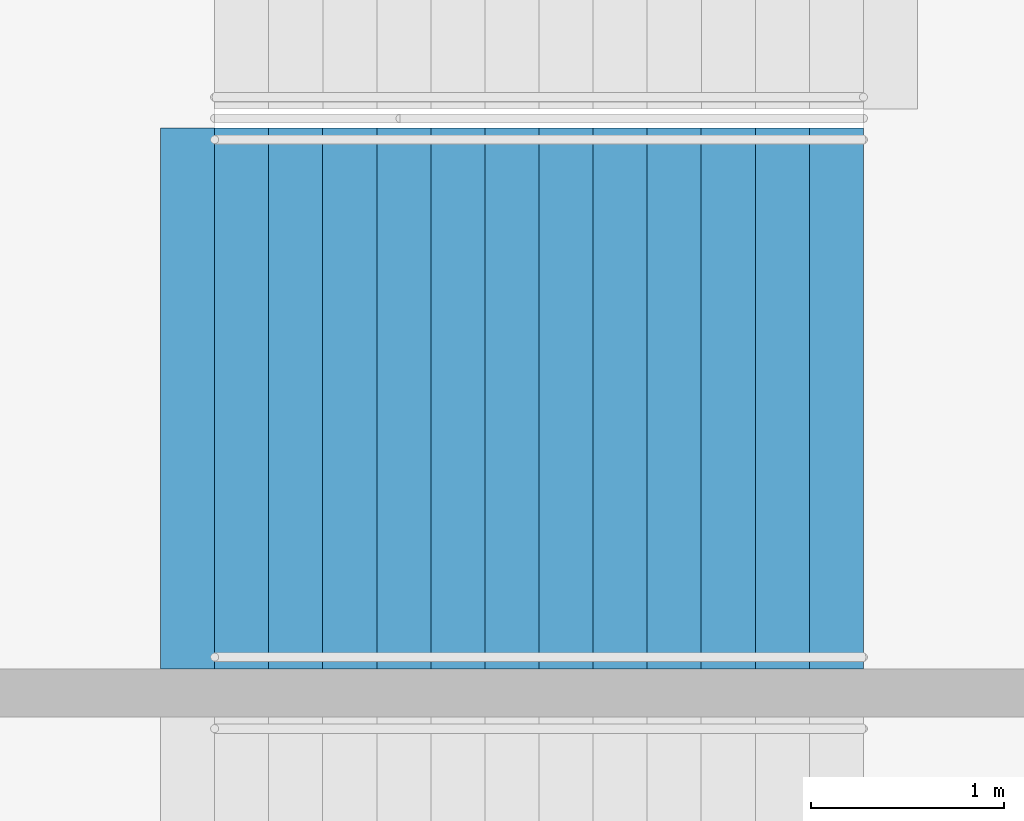
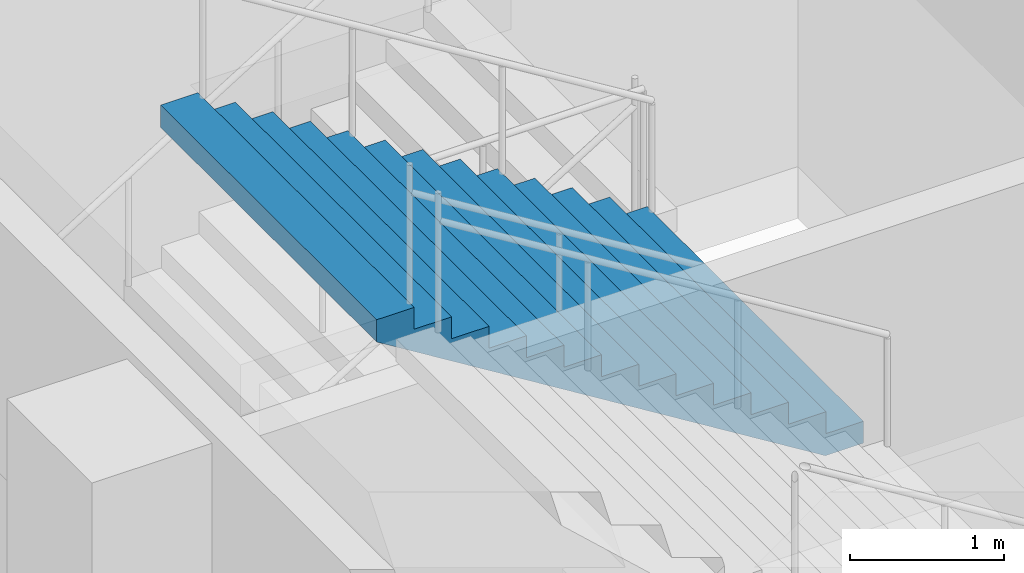
# One storey, part 187 of 249: 1 stair flight, 1 element without a shape of its own.
"""IFC4 building model written with IfcOpenShell, lengths in metres."""

from ifc_helpers import new_model, si_unit, direction, frame, origin, place, context, subcontext, project, spatial, faceted_brep, material, type_object, element, aggregate, save


model = new_model("IFC4")

# Units and contexts
model_context = context("Model", 3, precision=1e-05, world=origin(), true_north=direction((0.0, 1.0)))
body_context = subcontext(model_context, "Body", "Model", "MODEL_VIEW")
ifc_project = project(units=[si_unit("LENGTHUNIT", "METRE"), si_unit("AREAUNIT", "SQUARE_METRE"), si_unit("VOLUMEUNIT", "CUBIC_METRE"), si_unit("PLANEANGLEUNIT", "RADIAN"), si_unit("MASSUNIT", "GRAM", prefix="KILO")], contexts=[model_context])

# Site, building, storey
site_placement = place(None, origin())
site = spatial("IfcSite", under=ifc_project, at=site_placement, CompositionType="ELEMENT")
building_placement = place(site_placement, origin())
building = spatial("IfcBuilding", under=site, at=building_placement, Name="Ogive Plaza Stadium", CompositionType="ELEMENT")
storey_placement = place(building_placement, frame((0.0, 0.0, 13.5)))
storey = spatial("IfcBuildingStorey", under=building, at=storey_placement, Name="L03", CompositionType="ELEMENT", Elevation=13.5)

# Stair, stair flight
ifc_material_1 = material(Name="Concrete C40/50", Category="concrete")
stair_type = type_object("IfcStairType", Name="Exit stair", PredefinedType="STRAIGHT_RUN_STAIR", material=ifc_material_1)
stair_placement = place(storey_placement, origin())
stair = element("IfcStair", 1, at=stair_placement, inside=storey, type_object=stair_type, Name="Exit stair ST04B L03 to L04", PredefinedType="STRAIGHT_RUN_STAIR")
ifc_material_2 = material(Name="Concrete C40/50", Category="concrete")
stair_flight_type = type_object("IfcStairFlightType", Name="Exit stair flight", PredefinedType="STRAIGHT", material=ifc_material_2)
stair_flight_placement = place(storey_placement, frame((79.7099609375, 9.02490234375, 2.25), z_axis=(0.0, 0.0, 1.0), x_axis=(-1.0, 0.0, 0.0)))
stair_flight = element("IfcStairFlight", 2, at=stair_flight_placement, type_object=stair_flight_type, Name="ST04B flight 2", NumberOfRisers=13, NumberOfTreads=12, PredefinedType="STRAIGHT", RiserHeight=0.173076923, TreadLength=0.28, context=body_context, shape_type="Brep", body=[
    faceted_brep([(0.28515625, -1.39990234375, 0.0), (3.639892578125, -1.39990234375, 2.07373046875), (3.639892578125, -1.39990234375, 2.25), (3.360107421875, -1.39990234375, 2.25), (3.360107421875, -1.39990234375, 2.076904296875), (3.080078125, -1.39990234375, 2.076904296875), (3.080078125, -1.39990234375, 1.90380859375), (2.800048828125, -1.39990234375, 1.90380859375), (2.800048828125, -1.39990234375, 1.730712890625), (2.52001953125, -1.39990234375, 1.730712890625), (2.52001953125, -1.39990234375, 1.5576171875), (2.239990234375, -1.39990234375, 1.5576171875), (2.239990234375, -1.39990234375, 1.384521484375), (1.9599609375, -1.39990234375, 1.384521484375), (1.9599609375, -1.39990234375, 1.21142578125), (1.679931640625, -1.39990234375, 1.21142578125), (1.679931640625, -1.39990234375, 1.03857421875), (1.39990234375, -1.39990234375, 1.03857421875), (1.39990234375, -1.39990234375, 0.865478515625), (1.1201171875, -1.39990234375, 0.865478515625), (1.1201171875, -1.39990234375, 0.6923828125), (0.840087890625, -1.39990234375, 0.6923828125), (0.840087890625, -1.39990234375, 0.519287109375), (0.56005859375, -1.39990234375, 0.519287109375), (0.56005859375, -1.39990234375, 0.34619140625), (0.280029296875, -1.39990234375, 0.34619140625), (0.280029296875, -1.39990234375, 0.173095703125), (0.0, -1.39990234375, 0.173095703125), (0.0, -1.39990234375, 0.0), (0.0, 1.39990234375, 0.0), (0.0, 1.39990234375, 0.173095703125), (0.280029296875, 1.39990234375, 0.173095703125), (0.280029296875, 1.39990234375, 0.34619140625), (0.56005859375, 1.39990234375, 0.34619140625), (0.56005859375, 1.39990234375, 0.519287109375), (0.840087890625, 1.39990234375, 0.519287109375), (0.840087890625, 1.39990234375, 0.6923828125), (1.1201171875, 1.39990234375, 0.6923828125), (1.1201171875, 1.39990234375, 0.865478515625), (1.39990234375, 1.39990234375, 0.865478515625), (1.39990234375, 1.39990234375, 1.03857421875), (1.679931640625, 1.39990234375, 1.03857421875), (1.679931640625, 1.39990234375, 1.21142578125), (1.9599609375, 1.39990234375, 1.21142578125), (1.9599609375, 1.39990234375, 1.384521484375), (2.239990234375, 1.39990234375, 1.384521484375), (2.239990234375, 1.39990234375, 1.5576171875), (2.52001953125, 1.39990234375, 1.5576171875), (2.52001953125, 1.39990234375, 1.730712890625), (2.800048828125, 1.39990234375, 1.730712890625), (2.800048828125, 1.39990234375, 1.90380859375), (3.080078125, 1.39990234375, 1.90380859375), (3.080078125, 1.39990234375, 2.076904296875), (3.360107421875, 1.39990234375, 2.076904296875), (3.360107421875, 1.39990234375, 2.25), (3.639892578125, 1.39990234375, 2.25), (3.639892578125, 1.39990234375, 2.07373046875), (0.28515625, 1.39990234375, 0.0), (0.28515625, -1.0888671875, 0.0), (3.639892578125, -1.0888671875, 2.07373046875), (0.28515625, -0.77783203125, 0.0), (3.639892578125, -0.77783203125, 2.07373046875), (0.28515625, -0.466796875, 0.0), (3.639892578125, -0.466796875, 2.07373046875), (0.28515625, -0.155517578125, 0.0), (3.639892578125, -0.155517578125, 2.07373046875), (0.28515625, 0.155517578125, 0.0), (3.639892578125, 0.155517578125, 2.07373046875), (0.28515625, 0.466796875, 0.0), (3.639892578125, 0.466796875, 2.07373046875), (0.28515625, 0.77783203125, 0.0), (3.639892578125, 0.77783203125, 2.07373046875), (0.28515625, 1.0888671875, 0.0), (3.639892578125, 1.0888671875, 2.07373046875), (3.639892578125, -1.0888671875, 2.25), (3.639892578125, -0.77783203125, 2.25), (3.639892578125, -0.466796875, 2.25), (3.639892578125, -0.155517578125, 2.25), (3.639892578125, 0.155517578125, 2.25), (3.639892578125, 0.466796875, 2.25), (3.639892578125, 0.77783203125, 2.25), (3.639892578125, 1.0888671875, 2.25), (3.360107421875, -1.0888671875, 2.25), (3.360107421875, -0.77783203125, 2.25), (3.360107421875, -0.466796875, 2.25), (3.360107421875, -0.155517578125, 2.25), (3.360107421875, 0.155517578125, 2.25), (3.360107421875, 0.466796875, 2.25), (3.360107421875, 0.77783203125, 2.25), (3.360107421875, 1.0888671875, 2.25), (3.360107421875, -1.0888671875, 2.076904296875), (3.360107421875, -0.77783203125, 2.076904296875), (3.360107421875, -0.466796875, 2.076904296875), (3.360107421875, -0.155517578125, 2.076904296875), (3.360107421875, 0.155517578125, 2.076904296875), (3.360107421875, 0.466796875, 2.076904296875), (3.360107421875, 0.77783203125, 2.076904296875), (3.360107421875, 1.0888671875, 2.076904296875), (3.080078125, -1.0888671875, 2.076904296875), (3.080078125, -0.77783203125, 2.076904296875), (3.080078125, -0.466796875, 2.076904296875), (3.080078125, -0.155517578125, 2.076904296875), (3.080078125, 0.155517578125, 2.076904296875), (3.080078125, 0.466796875, 2.076904296875), (3.080078125, 0.77783203125, 2.076904296875), (3.080078125, 1.0888671875, 2.076904296875), (3.080078125, -1.0888671875, 1.90380859375), (3.080078125, -0.77783203125, 1.90380859375), (3.080078125, -0.466796875, 1.90380859375), (3.080078125, -0.155517578125, 1.90380859375), (3.080078125, 0.155517578125, 1.90380859375), (3.080078125, 0.466796875, 1.90380859375), (3.080078125, 0.77783203125, 1.90380859375), (3.080078125, 1.0888671875, 1.90380859375), (2.800048828125, -1.0888671875, 1.90380859375), (2.800048828125, -0.77783203125, 1.90380859375), (2.800048828125, -0.466796875, 1.90380859375), (2.800048828125, -0.155517578125, 1.90380859375), (2.800048828125, 0.155517578125, 1.90380859375), (2.800048828125, 0.466796875, 1.90380859375), (2.800048828125, 0.77783203125, 1.90380859375), (2.800048828125, 1.0888671875, 1.90380859375), (2.800048828125, -1.0888671875, 1.730712890625), (2.800048828125, -0.77783203125, 1.730712890625), (2.800048828125, -0.466796875, 1.730712890625), (2.800048828125, -0.155517578125, 1.730712890625), (2.800048828125, 0.155517578125, 1.730712890625), (2.800048828125, 0.466796875, 1.730712890625), (2.800048828125, 0.77783203125, 1.730712890625), (2.800048828125, 1.0888671875, 1.730712890625), (2.52001953125, -1.0888671875, 1.730712890625), (2.52001953125, -0.77783203125, 1.730712890625), (2.52001953125, -0.466796875, 1.730712890625), (2.52001953125, -0.155517578125, 1.730712890625), (2.52001953125, 0.155517578125, 1.730712890625), (2.52001953125, 0.466796875, 1.730712890625), (2.52001953125, 0.77783203125, 1.730712890625), (2.52001953125, 1.0888671875, 1.730712890625), (2.52001953125, -1.0888671875, 1.5576171875), (2.52001953125, -0.77783203125, 1.5576171875), (2.52001953125, -0.466796875, 1.5576171875), (2.52001953125, -0.155517578125, 1.5576171875), (2.52001953125, 0.155517578125, 1.5576171875), (2.52001953125, 0.466796875, 1.5576171875), (2.52001953125, 0.77783203125, 1.5576171875), (2.52001953125, 1.0888671875, 1.5576171875), (2.239990234375, -1.0888671875, 1.5576171875), (2.239990234375, -0.77783203125, 1.5576171875), (2.239990234375, -0.466796875, 1.5576171875), (2.239990234375, -0.155517578125, 1.5576171875), (2.239990234375, 0.155517578125, 1.5576171875), (2.239990234375, 0.466796875, 1.5576171875), (2.239990234375, 0.77783203125, 1.5576171875), (2.239990234375, 1.0888671875, 1.5576171875), (2.239990234375, -1.0888671875, 1.384521484375), (2.239990234375, -0.77783203125, 1.384521484375), (2.239990234375, -0.466796875, 1.384521484375), (2.239990234375, -0.155517578125, 1.384521484375), (2.239990234375, 0.155517578125, 1.384521484375), (2.239990234375, 0.466796875, 1.384521484375), (2.239990234375, 0.77783203125, 1.384521484375), (2.239990234375, 1.0888671875, 1.384521484375), (1.9599609375, -1.0888671875, 1.384521484375), (1.9599609375, -0.77783203125, 1.384521484375), (1.9599609375, -0.466796875, 1.384521484375), (1.9599609375, -0.155517578125, 1.384521484375), (1.9599609375, 0.155517578125, 1.384521484375), (1.9599609375, 0.466796875, 1.384521484375), (1.9599609375, 0.77783203125, 1.384521484375), (1.9599609375, 1.0888671875, 1.384521484375), (1.9599609375, -1.0888671875, 1.21142578125), (1.9599609375, -0.77783203125, 1.21142578125), (1.9599609375, -0.466796875, 1.21142578125), (1.9599609375, -0.155517578125, 1.21142578125), (1.9599609375, 0.155517578125, 1.21142578125), (1.9599609375, 0.466796875, 1.21142578125), (1.9599609375, 0.77783203125, 1.21142578125), (1.9599609375, 1.0888671875, 1.21142578125), (1.679931640625, -1.0888671875, 1.21142578125), (1.679931640625, -0.77783203125, 1.21142578125), (1.679931640625, -0.466796875, 1.21142578125), (1.679931640625, -0.155517578125, 1.21142578125), (1.679931640625, 0.155517578125, 1.21142578125), (1.679931640625, 0.466796875, 1.21142578125), (1.679931640625, 0.77783203125, 1.21142578125), (1.679931640625, 1.0888671875, 1.21142578125), (1.679931640625, -1.0888671875, 1.03857421875), (1.679931640625, -0.77783203125, 1.03857421875), (1.679931640625, -0.466796875, 1.03857421875), (1.679931640625, -0.155517578125, 1.03857421875), (1.679931640625, 0.155517578125, 1.03857421875), (1.679931640625, 0.466796875, 1.03857421875), (1.679931640625, 0.77783203125, 1.03857421875), (1.679931640625, 1.0888671875, 1.03857421875), (1.39990234375, -1.0888671875, 1.03857421875), (1.39990234375, -0.77783203125, 1.03857421875), (1.39990234375, -0.466796875, 1.03857421875), (1.39990234375, -0.155517578125, 1.03857421875), (1.39990234375, 0.155517578125, 1.03857421875), (1.39990234375, 0.466796875, 1.03857421875), (1.39990234375, 0.77783203125, 1.03857421875), (1.39990234375, 1.0888671875, 1.03857421875), (1.39990234375, -1.0888671875, 0.865478515625), (1.39990234375, -0.77783203125, 0.865478515625), (1.39990234375, -0.466796875, 0.865478515625), (1.39990234375, -0.155517578125, 0.865478515625), (1.39990234375, 0.155517578125, 0.865478515625), (1.39990234375, 0.466796875, 0.865478515625), (1.39990234375, 0.77783203125, 0.865478515625), (1.39990234375, 1.0888671875, 0.865478515625), (1.1201171875, -1.0888671875, 0.865478515625), (1.1201171875, -0.77783203125, 0.865478515625), (1.1201171875, -0.466796875, 0.865478515625), (1.1201171875, -0.155517578125, 0.865478515625), (1.1201171875, 0.155517578125, 0.865478515625), (1.1201171875, 0.466796875, 0.865478515625), (1.1201171875, 0.77783203125, 0.865478515625), (1.1201171875, 1.0888671875, 0.865478515625), (1.1201171875, -1.0888671875, 0.6923828125), (1.1201171875, -0.77783203125, 0.6923828125), (1.1201171875, -0.466796875, 0.6923828125), (1.1201171875, -0.155517578125, 0.6923828125), (1.1201171875, 0.155517578125, 0.6923828125), (1.1201171875, 0.466796875, 0.6923828125), (1.1201171875, 0.77783203125, 0.6923828125), (1.1201171875, 1.0888671875, 0.6923828125), (0.840087890625, -1.0888671875, 0.6923828125), (0.840087890625, -0.77783203125, 0.6923828125), (0.840087890625, -0.466796875, 0.6923828125), (0.840087890625, -0.155517578125, 0.6923828125), (0.840087890625, 0.155517578125, 0.6923828125), (0.840087890625, 0.466796875, 0.6923828125), (0.840087890625, 0.77783203125, 0.6923828125), (0.840087890625, 1.0888671875, 0.6923828125), (0.840087890625, -1.0888671875, 0.519287109375), (0.840087890625, -0.77783203125, 0.519287109375), (0.840087890625, -0.466796875, 0.519287109375), (0.840087890625, -0.155517578125, 0.519287109375), (0.840087890625, 0.155517578125, 0.519287109375), (0.840087890625, 0.466796875, 0.519287109375), (0.840087890625, 0.77783203125, 0.519287109375), (0.840087890625, 1.0888671875, 0.519287109375), (0.56005859375, -1.0888671875, 0.519287109375), (0.56005859375, -0.77783203125, 0.519287109375), (0.56005859375, -0.466796875, 0.519287109375), (0.56005859375, -0.155517578125, 0.519287109375), (0.56005859375, 0.155517578125, 0.519287109375), (0.56005859375, 0.466796875, 0.519287109375), (0.56005859375, 0.77783203125, 0.519287109375), (0.56005859375, 1.0888671875, 0.519287109375), (0.56005859375, -1.0888671875, 0.34619140625), (0.56005859375, -0.77783203125, 0.34619140625), (0.56005859375, -0.466796875, 0.34619140625), (0.56005859375, -0.155517578125, 0.34619140625), (0.56005859375, 0.155517578125, 0.34619140625), (0.56005859375, 0.466796875, 0.34619140625), (0.56005859375, 0.77783203125, 0.34619140625), (0.56005859375, 1.0888671875, 0.34619140625), (0.280029296875, -1.0888671875, 0.34619140625), (0.280029296875, -0.77783203125, 0.34619140625), (0.280029296875, -0.466796875, 0.34619140625), (0.280029296875, -0.155517578125, 0.34619140625), (0.280029296875, 0.155517578125, 0.34619140625), (0.280029296875, 0.466796875, 0.34619140625), (0.280029296875, 0.77783203125, 0.34619140625), (0.280029296875, 1.0888671875, 0.34619140625), (0.280029296875, -1.0888671875, 0.173095703125), (0.280029296875, -0.77783203125, 0.173095703125), (0.280029296875, -0.466796875, 0.173095703125), (0.280029296875, -0.155517578125, 0.173095703125), (0.280029296875, 0.155517578125, 0.173095703125), (0.280029296875, 0.466796875, 0.173095703125), (0.280029296875, 0.77783203125, 0.173095703125), (0.280029296875, 1.0888671875, 0.173095703125), (0.0, -1.0888671875, 0.173095703125), (0.0, -0.77783203125, 0.173095703125), (0.0, -0.466796875, 0.173095703125), (0.0, -0.155517578125, 0.173095703125), (0.0, 0.155517578125, 0.173095703125), (0.0, 0.466796875, 0.173095703125), (0.0, 0.77783203125, 0.173095703125), (0.0, 1.0888671875, 0.173095703125), (0.0, -1.0888671875, 0.0), (0.0, -0.77783203125, 0.0), (0.0, -0.466796875, 0.0), (0.0, -0.155517578125, 0.0), (0.0, 0.155517578125, 0.0), (0.0, 0.466796875, 0.0), (0.0, 0.77783203125, 0.0), (0.0, 1.0888671875, 0.0)], [[[0, 1, 2, 3, 4, 5, 6, 7, 8, 9, 10, 11, 12, 13, 14, 15, 16, 17, 18, 19, 20, 21, 22, 23, 24, 25, 26, 27, 28]], [[29, 30, 31, 32, 33, 34, 35, 36, 37, 38, 39, 40, 41, 42, 43, 44, 45, 46, 47, 48, 49, 50, 51, 52, 53, 54, 55, 56, 57]], [[0, 58, 59, 1]], [[58, 60, 61, 59]], [[60, 62, 63, 61]], [[62, 64, 65, 63]], [[64, 66, 67, 65]], [[66, 68, 69, 67]], [[68, 70, 71, 69]], [[70, 72, 73, 71]], [[72, 57, 56, 73]], [[1, 59, 74, 2]], [[59, 61, 75, 74]], [[61, 63, 76, 75]], [[63, 65, 77, 76]], [[65, 67, 78, 77]], [[67, 69, 79, 78]], [[69, 71, 80, 79]], [[71, 73, 81, 80]], [[73, 56, 55, 81]], [[2, 74, 82, 3]], [[74, 75, 83, 82]], [[75, 76, 84, 83]], [[76, 77, 85, 84]], [[77, 78, 86, 85]], [[78, 79, 87, 86]], [[79, 80, 88, 87]], [[80, 81, 89, 88]], [[81, 55, 54, 89]], [[3, 82, 90, 4]], [[82, 83, 91, 90]], [[83, 84, 92, 91]], [[84, 85, 93, 92]], [[85, 86, 94, 93]], [[86, 87, 95, 94]], [[87, 88, 96, 95]], [[88, 89, 97, 96]], [[89, 54, 53, 97]], [[4, 90, 98, 5]], [[90, 91, 99, 98]], [[91, 92, 100, 99]], [[92, 93, 101, 100]], [[93, 94, 102, 101]], [[94, 95, 103, 102]], [[95, 96, 104, 103]], [[96, 97, 105, 104]], [[97, 53, 52, 105]], [[5, 98, 106, 6]], [[98, 99, 107, 106]], [[99, 100, 108, 107]], [[100, 101, 109, 108]], [[101, 102, 110, 109]], [[102, 103, 111, 110]], [[103, 104, 112, 111]], [[104, 105, 113, 112]], [[105, 52, 51, 113]], [[6, 106, 114, 7]], [[106, 107, 115, 114]], [[107, 108, 116, 115]], [[108, 109, 117, 116]], [[109, 110, 118, 117]], [[110, 111, 119, 118]], [[111, 112, 120, 119]], [[112, 113, 121, 120]], [[113, 51, 50, 121]], [[7, 114, 122, 8]], [[114, 115, 123, 122]], [[115, 116, 124, 123]], [[116, 117, 125, 124]], [[117, 118, 126, 125]], [[118, 119, 127, 126]], [[119, 120, 128, 127]], [[120, 121, 129, 128]], [[121, 50, 49, 129]], [[8, 122, 130, 9]], [[122, 123, 131, 130]], [[123, 124, 132, 131]], [[124, 125, 133, 132]], [[125, 126, 134, 133]], [[126, 127, 135, 134]], [[127, 128, 136, 135]], [[128, 129, 137, 136]], [[129, 49, 48, 137]], [[9, 130, 138, 10]], [[130, 131, 139, 138]], [[131, 132, 140, 139]], [[132, 133, 141, 140]], [[133, 134, 142, 141]], [[134, 135, 143, 142]], [[135, 136, 144, 143]], [[136, 137, 145, 144]], [[137, 48, 47, 145]], [[10, 138, 146, 11]], [[138, 139, 147, 146]], [[139, 140, 148, 147]], [[140, 141, 149, 148]], [[141, 142, 150, 149]], [[142, 143, 151, 150]], [[143, 144, 152, 151]], [[144, 145, 153, 152]], [[145, 47, 46, 153]], [[11, 146, 154, 12]], [[146, 147, 155, 154]], [[147, 148, 156, 155]], [[148, 149, 157, 156]], [[149, 150, 158, 157]], [[150, 151, 159, 158]], [[151, 152, 160, 159]], [[152, 153, 161, 160]], [[153, 46, 45, 161]], [[12, 154, 162, 13]], [[154, 155, 163, 162]], [[155, 156, 164, 163]], [[156, 157, 165, 164]], [[157, 158, 166, 165]], [[158, 159, 167, 166]], [[159, 160, 168, 167]], [[160, 161, 169, 168]], [[161, 45, 44, 169]], [[13, 162, 170, 14]], [[162, 163, 171, 170]], [[163, 164, 172, 171]], [[164, 165, 173, 172]], [[165, 166, 174, 173]], [[166, 167, 175, 174]], [[167, 168, 176, 175]], [[168, 169, 177, 176]], [[169, 44, 43, 177]], [[14, 170, 178, 15]], [[170, 171, 179, 178]], [[171, 172, 180, 179]], [[172, 173, 181, 180]], [[173, 174, 182, 181]], [[174, 175, 183, 182]], [[175, 176, 184, 183]], [[176, 177, 185, 184]], [[177, 43, 42, 185]], [[15, 178, 186, 16]], [[178, 179, 187, 186]], [[179, 180, 188, 187]], [[180, 181, 189, 188]], [[181, 182, 190, 189]], [[182, 183, 191, 190]], [[183, 184, 192, 191]], [[184, 185, 193, 192]], [[185, 42, 41, 193]], [[16, 186, 194, 17]], [[186, 187, 195, 194]], [[187, 188, 196, 195]], [[188, 189, 197, 196]], [[189, 190, 198, 197]], [[190, 191, 199, 198]], [[191, 192, 200, 199]], [[192, 193, 201, 200]], [[193, 41, 40, 201]], [[17, 194, 202, 18]], [[194, 195, 203, 202]], [[195, 196, 204, 203]], [[196, 197, 205, 204]], [[197, 198, 206, 205]], [[198, 199, 207, 206]], [[199, 200, 208, 207]], [[200, 201, 209, 208]], [[201, 40, 39, 209]], [[18, 202, 210, 19]], [[202, 203, 211, 210]], [[203, 204, 212, 211]], [[204, 205, 213, 212]], [[205, 206, 214, 213]], [[206, 207, 215, 214]], [[207, 208, 216, 215]], [[208, 209, 217, 216]], [[209, 39, 38, 217]], [[19, 210, 218, 20]], [[210, 211, 219, 218]], [[211, 212, 220, 219]], [[212, 213, 221, 220]], [[213, 214, 222, 221]], [[214, 215, 223, 222]], [[215, 216, 224, 223]], [[216, 217, 225, 224]], [[217, 38, 37, 225]], [[20, 218, 226, 21]], [[218, 219, 227, 226]], [[219, 220, 228, 227]], [[220, 221, 229, 228]], [[221, 222, 230, 229]], [[222, 223, 231, 230]], [[223, 224, 232, 231]], [[224, 225, 233, 232]], [[225, 37, 36, 233]], [[21, 226, 234, 22]], [[226, 227, 235, 234]], [[227, 228, 236, 235]], [[228, 229, 237, 236]], [[229, 230, 238, 237]], [[230, 231, 239, 238]], [[231, 232, 240, 239]], [[232, 233, 241, 240]], [[233, 36, 35, 241]], [[22, 234, 242, 23]], [[234, 235, 243, 242]], [[235, 236, 244, 243]], [[236, 237, 245, 244]], [[237, 238, 246, 245]], [[238, 239, 247, 246]], [[239, 240, 248, 247]], [[240, 241, 249, 248]], [[241, 35, 34, 249]], [[23, 242, 250, 24]], [[242, 243, 251, 250]], [[243, 244, 252, 251]], [[244, 245, 253, 252]], [[245, 246, 254, 253]], [[246, 247, 255, 254]], [[247, 248, 256, 255]], [[248, 249, 257, 256]], [[249, 34, 33, 257]], [[24, 250, 258, 25]], [[250, 251, 259, 258]], [[251, 252, 260, 259]], [[252, 253, 261, 260]], [[253, 254, 262, 261]], [[254, 255, 263, 262]], [[255, 256, 264, 263]], [[256, 257, 265, 264]], [[257, 33, 32, 265]], [[25, 258, 266, 26]], [[258, 259, 267, 266]], [[259, 260, 268, 267]], [[260, 261, 269, 268]], [[261, 262, 270, 269]], [[262, 263, 271, 270]], [[263, 264, 272, 271]], [[264, 265, 273, 272]], [[265, 32, 31, 273]], [[26, 266, 274, 27]], [[266, 267, 275, 274]], [[267, 268, 276, 275]], [[268, 269, 277, 276]], [[269, 270, 278, 277]], [[270, 271, 279, 278]], [[271, 272, 280, 279]], [[272, 273, 281, 280]], [[273, 31, 30, 281]], [[27, 274, 282, 28]], [[274, 275, 283, 282]], [[275, 276, 284, 283]], [[276, 277, 285, 284]], [[277, 278, 286, 285]], [[278, 279, 287, 286]], [[279, 280, 288, 287]], [[280, 281, 289, 288]], [[281, 30, 29, 289]], [[28, 282, 58, 0]], [[282, 283, 60, 58]], [[283, 284, 62, 60]], [[284, 285, 64, 62]], [[285, 286, 66, 64]], [[286, 287, 68, 66]], [[287, 288, 70, 68]], [[288, 289, 72, 70]], [[289, 29, 57, 72]]]),
])
aggregate(stair, [stair_flight])

save(model, "model.ifc")
